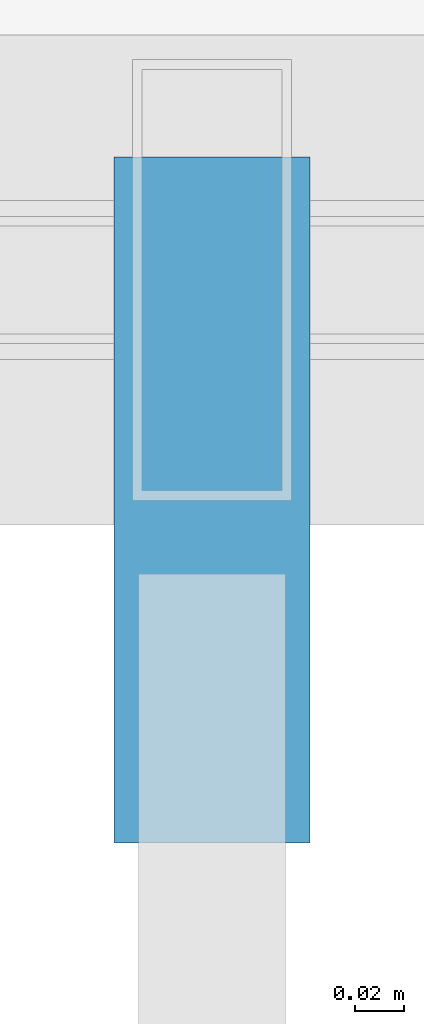
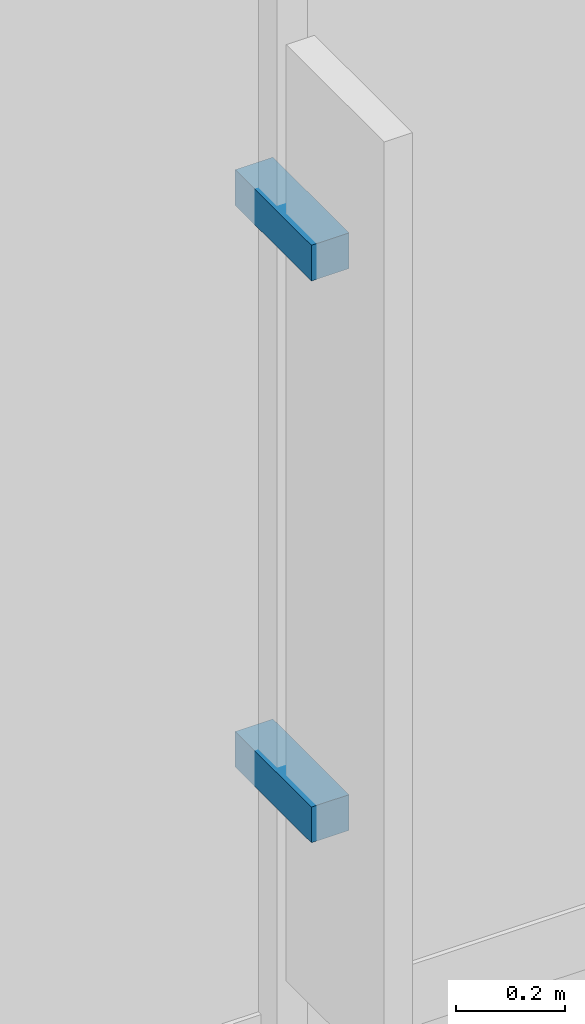
# One storey, part 103 of 112: 2 discrete accessories.
"""IFC4 building model written with IfcOpenShell, lengths in metres."""

from ifc_helpers import new_model, si_unit, direction, frame, origin, origin_2d, place, context, subcontext, project, spatial, rectangle, extrude, material, type_object, element, save


model = new_model("IFC4")

# Units and contexts
model_context = context("Model", 3, precision=1e-05, world=origin(), true_north=direction((0.0, 1.0)))
body_context = subcontext(model_context, "Body", "Model", "MODEL_VIEW")
ifc_project = project(units=[si_unit("LENGTHUNIT", "METRE"), si_unit("AREAUNIT", "SQUARE_METRE"), si_unit("VOLUMEUNIT", "CUBIC_METRE"), si_unit("PLANEANGLEUNIT", "RADIAN"), si_unit("MASSUNIT", "GRAM", prefix="KILO")], contexts=[model_context])

# Site, building, storey
site_placement = place(None, origin())
site = spatial("IfcSite", under=ifc_project, at=site_placement, CompositionType="ELEMENT")
building_placement = place(site_placement, origin())
building = spatial("IfcBuilding", under=site, at=building_placement, Name="Kazanami Central Library", CompositionType="ELEMENT")
storey_placement = place(building_placement, origin())
storey = spatial("IfcBuildingStorey", under=building, at=storey_placement, Name="L01", CompositionType="ELEMENT", Elevation=0.0)

# Discrete accessories
ifc_material = material(Name="Stainless Steel SUS304", Category="steel")
discrete_accessory_type = type_object("IfcDiscreteAccessoryType", Name="ACC-BRK-1", PredefinedType="BRACKET", material=ifc_material)
for number, where, z_axis, x_axis, name in (
    (1, (156.13330078125, 43.110107421875, 1.357421875), (0.0, 0.0, 1.0), (1.0, 0.0, 0.0), "Solar Fin Outrigger Bracket L01 S-G-17.1.1"),
    (2, (156.13330078125, 43.110107421875, 2.617431640625), (0.0, 0.0, 1.0), (1.0, 0.0, 0.0), "Solar Fin Outrigger Bracket L01 S-G-17.1.2"),
):
    element("IfcDiscreteAccessory", number, at=place(storey_placement, frame(where, z_axis=z_axis, x_axis=x_axis)), inside=storey, type_object=discrete_accessory_type, Name=name, PredefinedType="BRACKET", context=body_context, shape_type="SweptSolid", body=[
        extrude(rectangle(XDim=0.080078125, YDim=0.280029296875, at=origin_2d()), origin(), (0.0, 0.0, 1.0), 0.080078125),
    ])

save(model, "model.ifc")
